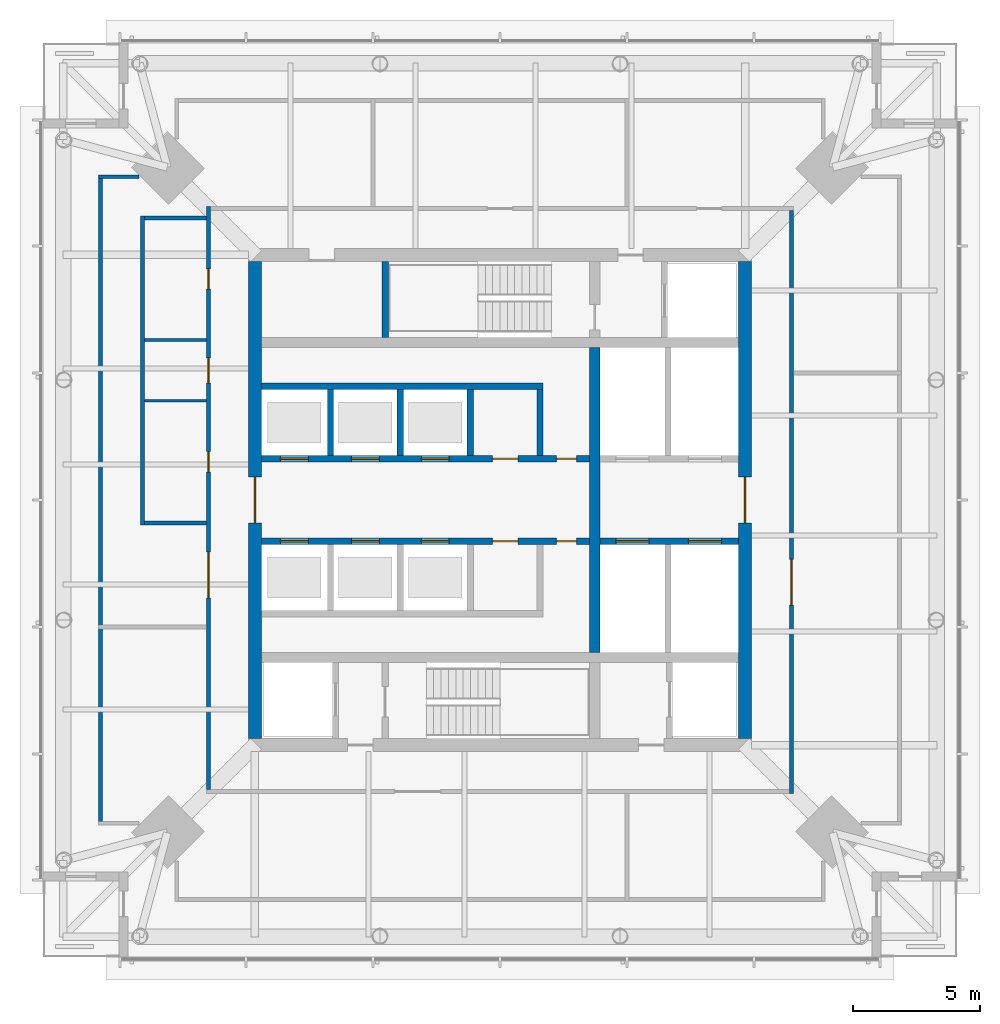
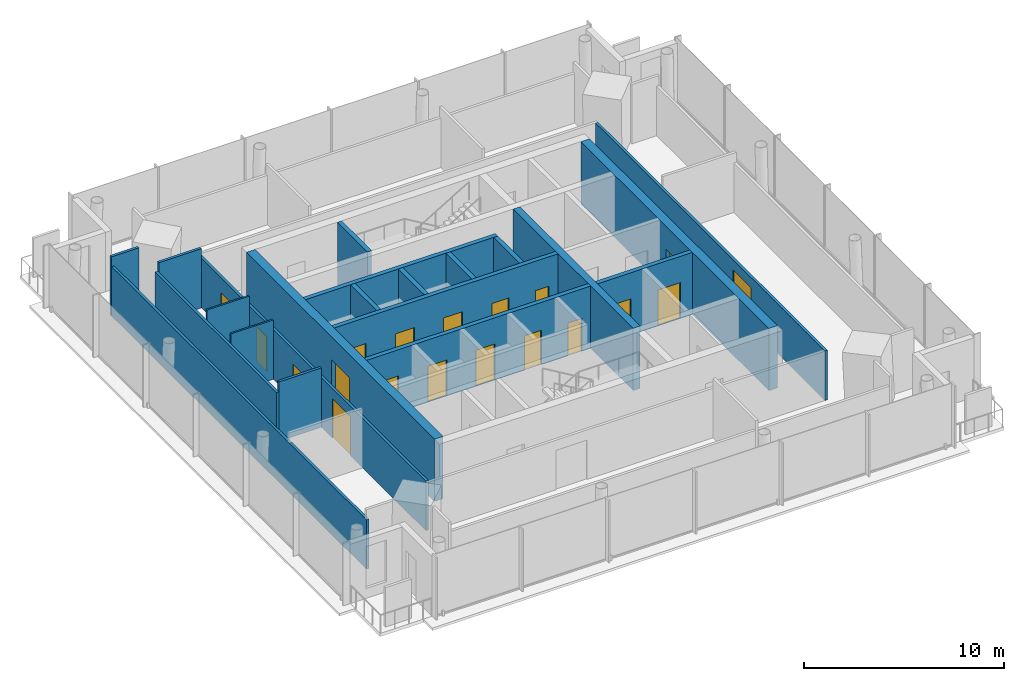
# One storey, part 4 of 10: 21 walls, 19 doors, 19 openings.
"""IFC4 building model written with IfcOpenShell, lengths in metres."""

from ifc_helpers import new_model, si_unit, direction, frame, frame_2d, origin, place, context, subcontext, project, spatial, rectangle, extrude, material, layer, layer_set, type_object, element, fill, save


model = new_model("IFC4")

# Units and contexts
model_context = context("Model", 3, precision=1e-05, world=origin(), true_north=direction((0.0, 1.0)))
body_context = subcontext(model_context, "Body", "Model", "MODEL_VIEW")
ifc_project = project(units=[si_unit("LENGTHUNIT", "METRE"), si_unit("AREAUNIT", "SQUARE_METRE"), si_unit("VOLUMEUNIT", "CUBIC_METRE"), si_unit("PLANEANGLEUNIT", "RADIAN"), si_unit("MASSUNIT", "GRAM", prefix="KILO")], contexts=[model_context])

# Site, building, storey
site_placement = place(None, origin())
site = spatial("IfcSite", under=ifc_project, at=site_placement, CompositionType="ELEMENT")
building_placement = place(site_placement, origin())
building = spatial("IfcBuilding", under=site, at=building_placement, Name="Ostroluk Exchange", CompositionType="ELEMENT")
storey_placement = place(building_placement, frame((0.0, 0.0, 233.800048828125)))
storey = spatial("IfcBuildingStorey", under=building, at=storey_placement, Name="L60", CompositionType="ELEMENT", Elevation=233.800048828125)

# Walls
ifc_material_1 = material(Name="Concrete blockwork", Category="masonry")
ifc_layer_1 = layer(ifc_material_1, 0.10009765625)
ifc_layer_set_1 = layer_set([ifc_layer_1], Name="Blockwork WC wall 100")
wall_type_1 = type_object("IfcWallType", Name="Blockwork WC wall 100", PredefinedType="SOLIDWALL", material=ifc_layer_set_1)
for number, where, z_axis, x_axis, name in (
    (1, (33.449951171875, 52.300048828125, 0.0), (0.0, 0.0, 1.0), (-1.0, 0.0, 0.0), "Blockwork WC wall"),
    (2, (33.449951171875, 49.89990234375, 0.0), (0.0, 0.0, 1.0), (-1.0, 0.0, 0.0), "Blockwork WC wall"),
):
    element("IfcWall", number, at=place(storey_placement, frame(where, z_axis=z_axis, x_axis=x_axis)), inside=storey, type_object=wall_type_1, Name=name, PredefinedType="SOLIDWALL", context=body_context, shape_type="SweptSolid", body=[
        extrude(rectangle(XDim=2.449951171875, YDim=0.10009765625, at=frame_2d((1.22509765625, 0.0))), origin(), (0.0, 0.0, 1.0), 3.619873046875),
    ])
ifc_material_2 = material(Name="Concrete C50/60", Category="concrete")
ifc_layer_2 = layer(ifc_material_2, 0.39990234375)
ifc_layer_set_2 = layer_set([ifc_layer_2], Name="Core cross wall 400 C50/60")
wall_type_2 = type_object("IfcWallType", Name="Core cross wall 400 C50/60", PredefinedType="SHEAR", material=ifc_layer_set_2)
wall_1_placement = place(storey_placement, frame((48.72998046875, 40.0, 0.0), z_axis=(0.0, 0.0, 1.0), x_axis=(0.0, 1.0, 0.0)))
element("IfcWall", 3, at=wall_1_placement, inside=storey, type_object=wall_type_2, Name="T1 core wall YE2", PredefinedType="SHEAR", context=body_context, shape_type="SweptSolid", body=[
    extrude(rectangle(XDim=12.0, YDim=0.39990234375, at=frame_2d((6.0, 0.0))), origin(), (0.0, 0.0, 1.0), 3.800048828125),
])
ifc_material_3 = material(Name="Concrete C40/50", Category="concrete")
ifc_layer_3 = layer(ifc_material_3, 0.25)
ifc_layer_set_3 = layer_set([ifc_layer_3], Name="Core shaft wall 250")
wall_type_3 = type_object("IfcWallType", Name="Core shaft wall 250", PredefinedType="SHEAR", material=ifc_layer_set_3)
wall_2_placement = place(storey_placement, frame((40.47509765625, 52.39990234375, 0.0), z_axis=(0.0, 0.0, 1.0), x_axis=(0.0, 1.0, 0.0)))
element("IfcWall", 4, at=wall_2_placement, inside=storey, type_object=wall_type_3, Name="Stair shaft wall", PredefinedType="SHEAR", context=body_context, shape_type="SweptSolid", body=[
    extrude(rectangle(XDim=3.0, YDim=0.25, at=frame_2d((1.5, 0.0))), origin(), (0.0, 0.0, 1.0), 3.800048828125),
])
for number, where, z_axis, x_axis, name in (
    (5, (38.324951171875, 47.75, 0.0), (0.0, 0.0, 1.0), (0.0, 1.0, 0.0), "Lift shaft wall"),
    (6, (41.074951171875, 47.75, 0.0), (0.0, 0.0, 1.0), (0.0, 1.0, 0.0), "Lift shaft wall"),
    (7, (43.824951171875, 47.75, 0.0), (0.0, 0.0, 1.0), (0.0, 1.0, 0.0), "Lift shaft wall"),
    (8, (46.574951171875, 47.75, 0.0), (0.0, 0.0, 1.0), (0.0, 1.0, 0.0), "Lift shaft wall"),
):
    element("IfcWall", number, at=place(storey_placement, frame(where, z_axis=z_axis, x_axis=x_axis)), inside=storey, type_object=wall_type_3, Name=name, PredefinedType="SHEAR", context=body_context, shape_type="SweptSolid", body=[
        extrude(rectangle(XDim=2.60009765625, YDim=0.25, at=frame_2d((1.300048828125, 0.0))), origin(), (0.0, 0.0, 1.0), 3.800048828125),
    ])
wall_3_placement = place(storey_placement, frame((35.60009765625, 50.47509765625, 0.0), z_axis=(0.0, 0.0, 1.0), x_axis=(1.0, 0.0, 0.0)))
element("IfcWall", 9, at=wall_3_placement, inside=storey, type_object=wall_type_3, Name="Lift shaft wall", PredefinedType="SHEAR", context=body_context, shape_type="SweptSolid", body=[
    extrude(rectangle(XDim=11.099853515625, YDim=0.25, at=frame_2d((5.5498046875, 0.0))), origin(), (0.0, 0.0, 1.0), 3.800048828125),
])

# Wall, openings, doors
wall_4_placement = place(storey_placement, frame((35.60009765625, 47.625, 0.0), z_axis=(0.0, 0.0, 1.0), x_axis=(1.0, 0.0, 0.0)))
wall_4 = element("IfcWall", 10, at=wall_4_placement, inside=storey, type_object=wall_type_3, Name="Lift shaft front wall", PredefinedType="SHEAR", context=body_context, shape_type="SweptSolid", body=[
    extrude(rectangle(XDim=12.929931640625, YDim=0.25, at=frame_2d((6.46484375, 0.0))), origin(), (0.0, 0.0, 1.0), 3.800048828125),
])
opening_1_placement = place(wall_4_placement, frame((0.75, 0.0, 0.0)))
opening_1 = element("IfcOpeningElement", 11, at=opening_1_placement, cuts=wall_4, Name="Opening LD", PredefinedType="OPENING", context=body_context, shape_type="SweptSolid", body=[
    extrude(rectangle(XDim=1.10009765625, YDim=2.199951171875, at=frame_2d((0.550048828125, 1.10009765625))), frame((0.0, 0.135009765625, 0.0), z_axis=(0.0, -1.0, 0.0), x_axis=(1.0, 0.0, 0.0)), (0.0, 0.0, 1.0), 0.27001953125),
])
opening_2_placement = place(wall_4_placement, frame((3.550048828125, 0.0, 0.0)))
opening_2 = element("IfcOpeningElement", 12, at=opening_2_placement, cuts=wall_4, Name="Opening LD", PredefinedType="OPENING", context=body_context, shape_type="SweptSolid", body=[
    extrude(rectangle(XDim=1.10009765625, YDim=2.199951171875, at=frame_2d((0.550048828125, 1.10009765625))), frame((0.0, 0.135009765625, 0.0), z_axis=(0.0, -1.0, 0.0), x_axis=(1.0, 0.0, 0.0)), (0.0, 0.0, 1.0), 0.27001953125),
])
opening_3_placement = place(wall_4_placement, frame((6.300048828125, 0.0, 0.0)))
opening_3 = element("IfcOpeningElement", 13, at=opening_3_placement, cuts=wall_4, Name="Opening LD", PredefinedType="OPENING", context=body_context, shape_type="SweptSolid", body=[
    extrude(rectangle(XDim=1.10009765625, YDim=2.199951171875, at=frame_2d((0.550048828125, 1.10009765625))), frame((0.0, 0.135009765625, 0.0), z_axis=(0.0, -1.0, 0.0), x_axis=(1.0, 0.0, 0.0)), (0.0, 0.0, 1.0), 0.27001953125),
])
opening_4_placement = place(wall_4_placement, frame((9.10009765625, 0.0, 0.0)))
opening_4 = element("IfcOpeningElement", 14, at=opening_4_placement, cuts=wall_4, Name="Opening FD60", PredefinedType="OPENING", context=body_context, shape_type="SweptSolid", body=[
    extrude(rectangle(XDim=1.0, YDim=2.10009765625, at=frame_2d((0.5, 1.050048828125))), frame((0.0, 0.135009765625, 0.0), z_axis=(0.0, -1.0, 0.0), x_axis=(1.0, 0.0, 0.0)), (0.0, 0.0, 1.0), 0.27001953125),
])
opening_5_placement = place(wall_4_placement, frame((11.614990234375, 0.0, 0.0)))
opening_5 = element("IfcOpeningElement", 15, at=opening_5_placement, cuts=wall_4, Name="Opening RD60", PredefinedType="OPENING", context=body_context, shape_type="SweptSolid", body=[
    extrude(rectangle(XDim=0.800048828125, YDim=2.0, at=frame_2d((0.39990234375, 1.0))), frame((0.0, 0.135009765625, 0.0), z_axis=(0.0, -1.0, 0.0), x_axis=(1.0, 0.0, 0.0)), (0.0, 0.0, 1.0), 0.27001953125),
])
ifc_material_4 = material(Name="Steel", Category="steel")
door_type_1 = type_object("IfcDoorType", Name="Fire door EI 60 1000 x 2100", OperationType="SINGLE_SWING_LEFT", PredefinedType="DOOR", material=ifc_material_4)
door_1_placement = place(opening_4_placement, origin())
door_1 = element("IfcDoor", 16, at=door_1_placement, inside=storey, type_object=door_type_1, Name="Core room door", OperationType="SINGLE_SWING_RIGHT", OverallHeight=2.10009765625, OverallWidth=1.0, PredefinedType="DOOR", context=body_context, shape_type="SweptSolid", body=[
    extrude(rectangle(XDim=1.0, YDim=2.10009765625, at=frame_2d((0.5, 1.050048828125))), frame((0.0, 0.02490234375, 0.0), z_axis=(0.0, -1.0, 0.0), x_axis=(1.0, 0.0, 0.0)), (0.0, 0.0, 1.0), 0.050048828125),
])
fill(opening_4, door_1)
ifc_material_5 = material(Name="Stainless steel", Category="steel")
door_type_2 = type_object("IfcDoorType", Name="Lift landing door E 60 1100 x 2200", OperationType="DOUBLE_DOOR_SLIDING", PredefinedType="DOOR", material=ifc_material_5)
door_2_placement = place(opening_1_placement, origin())
door_2 = element("IfcDoor", 17, at=door_2_placement, inside=storey, type_object=door_type_2, Name="Lift PL-T1 landing door", OperationType="DOUBLE_DOOR_SLIDING", OverallHeight=2.199951171875, OverallWidth=1.10009765625, PredefinedType="DOOR", context=body_context, shape_type="SweptSolid", body=[
    extrude(rectangle(XDim=1.10009765625, YDim=2.199951171875, at=frame_2d((0.550048828125, 1.10009765625))), frame((0.0, 0.02490234375, 0.0), z_axis=(0.0, -1.0, 0.0), x_axis=(1.0, 0.0, 0.0)), (0.0, 0.0, 1.0), 0.050048828125),
])
fill(opening_1, door_2)
door_3_placement = place(opening_2_placement, origin())
door_3 = element("IfcDoor", 18, at=door_3_placement, inside=storey, type_object=door_type_2, Name="Lift PL-T2 landing door", OperationType="DOUBLE_DOOR_SLIDING", OverallHeight=2.199951171875, OverallWidth=1.10009765625, PredefinedType="DOOR", context=body_context, shape_type="SweptSolid", body=[
    extrude(rectangle(XDim=1.10009765625, YDim=2.199951171875, at=frame_2d((0.550048828125, 1.10009765625))), frame((0.0, 0.02490234375, 0.0), z_axis=(0.0, -1.0, 0.0), x_axis=(1.0, 0.0, 0.0)), (0.0, 0.0, 1.0), 0.050048828125),
])
fill(opening_2, door_3)
door_4_placement = place(opening_3_placement, origin())
door_4 = element("IfcDoor", 19, at=door_4_placement, inside=storey, type_object=door_type_2, Name="Lift PL-T3 landing door", OperationType="DOUBLE_DOOR_SLIDING", OverallHeight=2.199951171875, OverallWidth=1.10009765625, PredefinedType="DOOR", context=body_context, shape_type="SweptSolid", body=[
    extrude(rectangle(XDim=1.10009765625, YDim=2.199951171875, at=frame_2d((0.550048828125, 1.10009765625))), frame((0.0, 0.02490234375, 0.0), z_axis=(0.0, -1.0, 0.0), x_axis=(1.0, 0.0, 0.0)), (0.0, 0.0, 1.0), 0.050048828125),
])
fill(opening_3, door_4)
ifc_material_6 = material(Name="Steel", Category="steel")
door_type_3 = type_object("IfcDoorType", Name="Riser access door EI 60 800 x 2000", OperationType="SINGLE_SWING_LEFT", PredefinedType="DOOR", material=ifc_material_6)
door_5_placement = place(opening_5_placement, origin())
door_5 = element("IfcDoor", 20, at=door_5_placement, inside=storey, type_object=door_type_3, Name="Riser access door", OperationType="SINGLE_SWING_RIGHT", OverallHeight=2.0, OverallWidth=0.800048828125, PredefinedType="DOOR", context=body_context, shape_type="SweptSolid", body=[
    extrude(rectangle(XDim=0.800048828125, YDim=2.0, at=frame_2d((0.39990234375, 1.0))), frame((0.0, 0.02490234375, 0.0), z_axis=(0.0, -1.0, 0.0), x_axis=(1.0, 0.0, 0.0)), (0.0, 0.0, 1.0), 0.050048828125),
])
fill(opening_5, door_5)

wall_5_placement = place(storey_placement, frame((35.60009765625, 44.375, 0.0), z_axis=(0.0, 0.0, 1.0), x_axis=(1.0, 0.0, 0.0)))
wall_5 = element("IfcWall", 21, at=wall_5_placement, inside=storey, type_object=wall_type_3, Name="Lift shaft front wall", PredefinedType="SHEAR", context=body_context, shape_type="SweptSolid", body=[
    extrude(rectangle(XDim=12.929931640625, YDim=0.25, at=frame_2d((6.46484375, 0.0))), origin(), (0.0, 0.0, 1.0), 3.800048828125),
])
opening_6_placement = place(wall_5_placement, frame((0.75, 0.0, 0.0)))
opening_6 = element("IfcOpeningElement", 22, at=opening_6_placement, cuts=wall_5, Name="Opening LD", PredefinedType="OPENING", context=body_context, shape_type="SweptSolid", body=[
    extrude(rectangle(XDim=1.10009765625, YDim=2.199951171875, at=frame_2d((0.550048828125, 1.10009765625))), frame((0.0, 0.135009765625, 0.0), z_axis=(0.0, -1.0, 0.0), x_axis=(1.0, 0.0, 0.0)), (0.0, 0.0, 1.0), 0.27001953125),
])
opening_7_placement = place(wall_5_placement, frame((3.550048828125, 0.0, 0.0)))
opening_7 = element("IfcOpeningElement", 23, at=opening_7_placement, cuts=wall_5, Name="Opening LD", PredefinedType="OPENING", context=body_context, shape_type="SweptSolid", body=[
    extrude(rectangle(XDim=1.10009765625, YDim=2.199951171875, at=frame_2d((0.550048828125, 1.10009765625))), frame((0.0, 0.135009765625, 0.0), z_axis=(0.0, -1.0, 0.0), x_axis=(1.0, 0.0, 0.0)), (0.0, 0.0, 1.0), 0.27001953125),
])
opening_8_placement = place(wall_5_placement, frame((6.300048828125, 0.0, 0.0)))
opening_8 = element("IfcOpeningElement", 24, at=opening_8_placement, cuts=wall_5, Name="Opening LD", PredefinedType="OPENING", context=body_context, shape_type="SweptSolid", body=[
    extrude(rectangle(XDim=1.10009765625, YDim=2.199951171875, at=frame_2d((0.550048828125, 1.10009765625))), frame((0.0, 0.135009765625, 0.0), z_axis=(0.0, -1.0, 0.0), x_axis=(1.0, 0.0, 0.0)), (0.0, 0.0, 1.0), 0.27001953125),
])
opening_9_placement = place(wall_5_placement, frame((9.10009765625, 0.0, 0.0)))
opening_9 = element("IfcOpeningElement", 25, at=opening_9_placement, cuts=wall_5, Name="Opening FD60", PredefinedType="OPENING", context=body_context, shape_type="SweptSolid", body=[
    extrude(rectangle(XDim=1.0, YDim=2.10009765625, at=frame_2d((0.5, 1.050048828125))), frame((0.0, 0.135009765625, 0.0), z_axis=(0.0, -1.0, 0.0), x_axis=(1.0, 0.0, 0.0)), (0.0, 0.0, 1.0), 0.27001953125),
])
opening_10_placement = place(wall_5_placement, frame((11.614990234375, 0.0, 0.0)))
opening_10 = element("IfcOpeningElement", 26, at=opening_10_placement, cuts=wall_5, Name="Opening RD60", PredefinedType="OPENING", context=body_context, shape_type="SweptSolid", body=[
    extrude(rectangle(XDim=0.800048828125, YDim=2.0, at=frame_2d((0.39990234375, 1.0))), frame((0.0, 0.135009765625, 0.0), z_axis=(0.0, -1.0, 0.0), x_axis=(1.0, 0.0, 0.0)), (0.0, 0.0, 1.0), 0.27001953125),
])
door_6_placement = place(opening_9_placement, origin())
door_6 = element("IfcDoor", 27, at=door_6_placement, inside=storey, type_object=door_type_1, Name="Core room door", OperationType="SINGLE_SWING_RIGHT", OverallHeight=2.10009765625, OverallWidth=1.0, PredefinedType="DOOR", context=body_context, shape_type="SweptSolid", body=[
    extrude(rectangle(XDim=1.0, YDim=2.10009765625, at=frame_2d((0.5, 1.050048828125))), frame((0.0, 0.02490234375, 0.0), z_axis=(0.0, -1.0, 0.0), x_axis=(1.0, 0.0, 0.0)), (0.0, 0.0, 1.0), 0.050048828125),
])
fill(opening_9, door_6)
door_7_placement = place(opening_6_placement, origin())
door_7 = element("IfcDoor", 28, at=door_7_placement, inside=storey, type_object=door_type_2, Name="Lift PL-T4 landing door", OperationType="DOUBLE_DOOR_SLIDING", OverallHeight=2.199951171875, OverallWidth=1.10009765625, PredefinedType="DOOR", context=body_context, shape_type="SweptSolid", body=[
    extrude(rectangle(XDim=1.10009765625, YDim=2.199951171875, at=frame_2d((0.550048828125, 1.10009765625))), frame((0.0, 0.02490234375, 0.0), z_axis=(0.0, -1.0, 0.0), x_axis=(1.0, 0.0, 0.0)), (0.0, 0.0, 1.0), 0.050048828125),
])
fill(opening_6, door_7)
door_8_placement = place(opening_7_placement, origin())
door_8 = element("IfcDoor", 29, at=door_8_placement, inside=storey, type_object=door_type_2, Name="Lift PL-T5 landing door", OperationType="DOUBLE_DOOR_SLIDING", OverallHeight=2.199951171875, OverallWidth=1.10009765625, PredefinedType="DOOR", context=body_context, shape_type="SweptSolid", body=[
    extrude(rectangle(XDim=1.10009765625, YDim=2.199951171875, at=frame_2d((0.550048828125, 1.10009765625))), frame((0.0, 0.02490234375, 0.0), z_axis=(0.0, -1.0, 0.0), x_axis=(1.0, 0.0, 0.0)), (0.0, 0.0, 1.0), 0.050048828125),
])
fill(opening_7, door_8)
door_9_placement = place(opening_8_placement, origin())
door_9 = element("IfcDoor", 30, at=door_9_placement, inside=storey, type_object=door_type_2, Name="Lift PL-T6 landing door", OperationType="DOUBLE_DOOR_SLIDING", OverallHeight=2.199951171875, OverallWidth=1.10009765625, PredefinedType="DOOR", context=body_context, shape_type="SweptSolid", body=[
    extrude(rectangle(XDim=1.10009765625, YDim=2.199951171875, at=frame_2d((0.550048828125, 1.10009765625))), frame((0.0, 0.02490234375, 0.0), z_axis=(0.0, -1.0, 0.0), x_axis=(1.0, 0.0, 0.0)), (0.0, 0.0, 1.0), 0.050048828125),
])
fill(opening_8, door_9)
door_10_placement = place(opening_10_placement, origin())
door_10 = element("IfcDoor", 31, at=door_10_placement, inside=storey, type_object=door_type_3, Name="Riser access door", OperationType="SINGLE_SWING_RIGHT", OverallHeight=2.0, OverallWidth=0.800048828125, PredefinedType="DOOR", context=body_context, shape_type="SweptSolid", body=[
    extrude(rectangle(XDim=0.800048828125, YDim=2.0, at=frame_2d((0.39990234375, 1.0))), frame((0.0, 0.02490234375, 0.0), z_axis=(0.0, -1.0, 0.0), x_axis=(1.0, 0.0, 0.0)), (0.0, 0.0, 1.0), 0.050048828125),
])
fill(opening_10, door_10)

wall_6_placement = place(storey_placement, frame((48.929931640625, 44.375, 0.0), z_axis=(0.0, 0.0, 1.0), x_axis=(1.0, 0.0, 0.0)))
wall_6 = element("IfcWall", 32, at=wall_6_placement, inside=storey, type_object=wall_type_3, Name="Lift shaft front wall", PredefinedType="SHEAR", context=body_context, shape_type="SweptSolid", body=[
    extrude(rectangle(XDim=5.469970703125, YDim=0.25, at=frame_2d((2.73486328125, 0.0))), origin(), (0.0, 0.0, 1.0), 3.800048828125),
])
opening_11_placement = place(wall_6_placement, frame((0.6298828125, 0.0, 0.0)))
opening_11 = element("IfcOpeningElement", 33, at=opening_11_placement, cuts=wall_6, Name="Opening LD2", PredefinedType="OPENING", context=body_context, shape_type="SweptSolid", body=[
    extrude(rectangle(XDim=1.300048828125, YDim=2.199951171875, at=frame_2d((0.64990234375, 1.10009765625))), frame((0.0, 0.135009765625, 0.0), z_axis=(0.0, -1.0, 0.0), x_axis=(1.0, 0.0, 0.0)), (0.0, 0.0, 1.0), 0.27001953125),
])
opening_12_placement = place(wall_6_placement, frame((3.489990234375, 0.0, 0.0)))
opening_12 = element("IfcOpeningElement", 34, at=opening_12_placement, cuts=wall_6, Name="Opening LD2", PredefinedType="OPENING", context=body_context, shape_type="SweptSolid", body=[
    extrude(rectangle(XDim=1.300048828125, YDim=2.199951171875, at=frame_2d((0.64990234375, 1.10009765625))), frame((0.0, 0.135009765625, 0.0), z_axis=(0.0, -1.0, 0.0), x_axis=(1.0, 0.0, 0.0)), (0.0, 0.0, 1.0), 0.27001953125),
])
ifc_material_7 = material(Name="Stainless steel", Category="steel")
door_type_4 = type_object("IfcDoorType", Name="Lift landing door E 60 1300 x 2200", OperationType="DOUBLE_DOOR_SLIDING", PredefinedType="DOOR", material=ifc_material_7)
door_11_placement = place(opening_11_placement, origin())
door_11 = element("IfcDoor", 35, at=door_11_placement, inside=storey, type_object=door_type_4, Name="Lift SX3 landing door", OperationType="DOUBLE_DOOR_SLIDING", OverallHeight=2.199951171875, OverallWidth=1.300048828125, PredefinedType="DOOR", context=body_context, shape_type="SweptSolid", body=[
    extrude(rectangle(XDim=1.300048828125, YDim=2.199951171875, at=frame_2d((0.64990234375, 1.10009765625))), frame((0.0, 0.02490234375, 0.0), z_axis=(0.0, -1.0, 0.0), x_axis=(1.0, 0.0, 0.0)), (0.0, 0.0, 1.0), 0.050048828125),
])
fill(opening_11, door_11)
door_12_placement = place(opening_12_placement, origin())
door_12 = element("IfcDoor", 36, at=door_12_placement, inside=storey, type_object=door_type_4, Name="Lift SX4 landing door", OperationType="DOUBLE_DOOR_SLIDING", OverallHeight=2.199951171875, OverallWidth=1.300048828125, PredefinedType="DOOR", context=body_context, shape_type="SweptSolid", body=[
    extrude(rectangle(XDim=1.300048828125, YDim=2.199951171875, at=frame_2d((0.64990234375, 1.10009765625))), frame((0.0, 0.02490234375, 0.0), z_axis=(0.0, -1.0, 0.0), x_axis=(1.0, 0.0, 0.0)), (0.0, 0.0, 1.0), 0.050048828125),
])
fill(opening_12, door_12)

# Wall, opening, door
ifc_material_8 = material(Name="Concrete C50/60", Category="concrete")
ifc_layer_4 = layer(ifc_material_8, 0.5)
ifc_layer_set_4 = layer_set([ifc_layer_4], Name="Core wall 500 C50/60")
wall_type_4 = type_object("IfcWallType", Name="Core wall 500 C50/60", PredefinedType="SHEAR", material=ifc_layer_set_4)
wall_7_placement = place(storey_placement, frame((35.35009765625, 36.60009765625, 0.0), z_axis=(0.0, 0.0, 1.0), x_axis=(0.0, 1.0, 0.0)))
wall_7 = element("IfcWall", 37, at=wall_7_placement, inside=storey, type_object=wall_type_4, Name="T1 core wall W", PredefinedType="SHEAR", context=body_context, shape_type="SweptSolid", body=[
    extrude(rectangle(XDim=18.7998046875, YDim=0.5, at=frame_2d((9.39990234375, 0.0))), origin(), (0.0, 0.0, 1.0), 3.800048828125),
])
opening_13_placement = place(wall_7_placement, frame((8.5, 0.0, 0.0)))
opening_13 = element("IfcOpeningElement", 38, at=opening_13_placement, cuts=wall_7, Name="Opening FD30D", PredefinedType="OPENING", context=body_context, shape_type="SweptSolid", body=[
    extrude(rectangle(XDim=1.800048828125, YDim=2.39990234375, at=frame_2d((0.89990234375, 1.199951171875))), frame((0.0, 0.260009765625, 0.0), z_axis=(0.0, -1.0, 0.0), x_axis=(1.0, 0.0, 0.0)), (0.0, 0.0, 1.0), 0.52001953125),
])
ifc_material_9 = material(Name="Timber", Category="wood")
door_type_5 = type_object("IfcDoorType", Name="Lobby double door EI 30 1800 x 2400", OperationType="DOUBLE_DOOR_SINGLE_SWING", PredefinedType="DOOR", material=ifc_material_9)
door_13_placement = place(opening_13_placement, origin())
door_13 = element("IfcDoor", 39, at=door_13_placement, inside=storey, type_object=door_type_5, Name="Lift lobby doors", OperationType="DOUBLE_DOOR_SINGLE_SWING", OverallHeight=2.39990234375, OverallWidth=1.800048828125, PredefinedType="DOOR", context=body_context, shape_type="SweptSolid", body=[
    extrude(rectangle(XDim=1.800048828125, YDim=2.39990234375, at=frame_2d((0.89990234375, 1.199951171875))), frame((0.0, 0.02490234375, 0.0), z_axis=(0.0, -1.0, 0.0), x_axis=(1.0, 0.0, 0.0)), (0.0, 0.0, 1.0), 0.050048828125),
])
fill(opening_13, door_13)

wall_8_placement = place(storey_placement, frame((54.64990234375, 36.60009765625, 0.0), z_axis=(0.0, 0.0, 1.0), x_axis=(0.0, 1.0, 0.0)))
wall_8 = element("IfcWall", 40, at=wall_8_placement, inside=storey, type_object=wall_type_4, Name="T1 core wall E", PredefinedType="SHEAR", context=body_context, shape_type="SweptSolid", body=[
    extrude(rectangle(XDim=18.7998046875, YDim=0.5, at=frame_2d((9.39990234375, 0.0))), origin(), (0.0, 0.0, 1.0), 3.800048828125),
])
opening_14_placement = place(wall_8_placement, frame((8.5, 0.0, 0.0)))
opening_14 = element("IfcOpeningElement", 41, at=opening_14_placement, cuts=wall_8, Name="Opening FD30D", PredefinedType="OPENING", context=body_context, shape_type="SweptSolid", body=[
    extrude(rectangle(XDim=1.800048828125, YDim=2.39990234375, at=frame_2d((0.89990234375, 1.199951171875))), frame((0.0, 0.260009765625, 0.0), z_axis=(0.0, -1.0, 0.0), x_axis=(1.0, 0.0, 0.0)), (0.0, 0.0, 1.0), 0.52001953125),
])
door_14_placement = place(opening_14_placement, origin())
door_14 = element("IfcDoor", 42, at=door_14_placement, inside=storey, type_object=door_type_5, Name="Lift lobby doors", OperationType="DOUBLE_DOOR_SINGLE_SWING", OverallHeight=2.39990234375, OverallWidth=1.800048828125, PredefinedType="DOOR", context=body_context, shape_type="SweptSolid", body=[
    extrude(rectangle(XDim=1.800048828125, YDim=2.39990234375, at=frame_2d((0.89990234375, 1.199951171875))), frame((0.0, 0.02490234375, 0.0), z_axis=(0.0, -1.0, 0.0), x_axis=(1.0, 0.0, 0.0)), (0.0, 0.0, 1.0), 0.050048828125),
])
fill(opening_14, door_14)

ifc_material_10 = material(Name="Gypsum plasterboard partition", Category="gypsum")
ifc_layer_5 = layer(ifc_material_10, 0.14990234375)
ifc_layer_set_5 = layer_set([ifc_layer_5], Name="Plasterboard partition 150")
wall_type_5 = type_object("IfcWallType", Name="Plasterboard partition 150", PredefinedType="PARTITIONING", material=ifc_layer_set_5)
wall_9_placement = place(storey_placement, frame((56.47509765625, 34.449951171875, 0.0), z_axis=(0.0, 0.0, 1.0), x_axis=(0.0, 1.0, 0.0)))
wall_9 = element("IfcWall", 43, at=wall_9_placement, inside=storey, type_object=wall_type_5, Name="Corridor wall", PredefinedType="PARTITIONING", context=body_context, shape_type="SweptSolid", body=[
    extrude(rectangle(XDim=22.949951171875, YDim=0.14990234375, at=frame_2d((11.47509765625, 0.0))), origin(), (0.0, 0.0, 1.0), 3.02001953125),
])
opening_15_placement = place(wall_9_placement, frame((7.41259765625, 0.0, 0.0)))
opening_15 = element("IfcOpeningElement", 44, at=opening_15_placement, cuts=wall_9, Name="Opening D-04", PredefinedType="OPENING", context=body_context, shape_type="SweptSolid", body=[
    extrude(rectangle(XDim=1.800048828125, YDim=2.39990234375, at=frame_2d((0.89990234375, 1.199951171875))), frame((0.0, 0.0849609375, 0.0), z_axis=(0.0, -1.0, 0.0), x_axis=(1.0, 0.0, 0.0)), (0.0, 0.0, 1.0), 0.169921875),
])
ifc_material_11 = material(Name="Timber", Category="wood")
door_type_6 = type_object("IfcDoorType", Name="Double door 1800 x 2400", OperationType="DOUBLE_DOOR_SINGLE_SWING", PredefinedType="DOOR", material=ifc_material_11)
door_15_placement = place(opening_15_placement, origin())
door_15 = element("IfcDoor", 45, at=door_15_placement, inside=storey, type_object=door_type_6, Name="Cafe door", OperationType="DOUBLE_DOOR_SINGLE_SWING", OverallHeight=2.39990234375, OverallWidth=1.800048828125, PredefinedType="DOOR", context=body_context, shape_type="SweptSolid", body=[
    extrude(rectangle(XDim=1.800048828125, YDim=2.39990234375, at=frame_2d((0.89990234375, 1.199951171875))), frame((0.0, 0.02490234375, 0.0), z_axis=(0.0, -1.0, 0.0), x_axis=(1.0, 0.0, 0.0)), (0.0, 0.0, 1.0), 0.050048828125),
])
fill(opening_15, door_15)

# Wall, openings, doors
wall_10_placement = place(storey_placement, frame((33.52490234375, 57.550048828125, 0.0), z_axis=(0.0, 0.0, 1.0), x_axis=(0.0, -1.0, 0.0)))
wall_10 = element("IfcWall", 46, at=wall_10_placement, inside=storey, type_object=wall_type_5, Name="Corridor wall", PredefinedType="PARTITIONING", context=body_context, shape_type="SweptSolid", body=[
    extrude(rectangle(XDim=22.949951171875, YDim=0.14990234375, at=frame_2d((11.47509765625, 0.0))), origin(), (0.0, 0.0, 1.0), 3.02001953125),
])
opening_16_placement = place(wall_10_placement, frame((2.449951171875, 0.0, 0.0)))
opening_16 = element("IfcOpeningElement", 47, at=opening_16_placement, cuts=wall_10, Name="Opening D-06", PredefinedType="OPENING", context=body_context, shape_type="SweptSolid", body=[
    extrude(rectangle(XDim=0.800048828125, YDim=2.10009765625, at=frame_2d((0.39990234375, 1.050048828125))), frame((0.0, 0.0849609375, 0.0), z_axis=(0.0, -1.0, 0.0), x_axis=(1.0, 0.0, 0.0)), (0.0, 0.0, 1.0), 0.169921875),
])
opening_17_placement = place(wall_10_placement, frame((5.949951171875, 0.0, 0.0)))
opening_17 = element("IfcOpeningElement", 48, at=opening_17_placement, cuts=wall_10, Name="Opening D-03", PredefinedType="OPENING", context=body_context, shape_type="SweptSolid", body=[
    extrude(rectangle(XDim=1.0, YDim=2.10009765625, at=frame_2d((0.5, 1.050048828125))), frame((0.0, 0.0849609375, 0.0), z_axis=(0.0, -1.0, 0.0), x_axis=(1.0, 0.0, 0.0)), (0.0, 0.0, 1.0), 0.169921875),
])
opening_18_placement = place(wall_10_placement, frame((9.64990234375, 0.0, 0.0)))
opening_18 = element("IfcOpeningElement", 49, at=opening_18_placement, cuts=wall_10, Name="Opening D-06", PredefinedType="OPENING", context=body_context, shape_type="SweptSolid", body=[
    extrude(rectangle(XDim=0.800048828125, YDim=2.10009765625, at=frame_2d((0.39990234375, 1.050048828125))), frame((0.0, 0.0849609375, 0.0), z_axis=(0.0, -1.0, 0.0), x_axis=(1.0, 0.0, 0.0)), (0.0, 0.0, 1.0), 0.169921875),
])
opening_19_placement = place(wall_10_placement, frame((13.60009765625, 0.0, 0.0)))
opening_19 = element("IfcOpeningElement", 50, at=opening_19_placement, cuts=wall_10, Name="Opening D-04", PredefinedType="OPENING", context=body_context, shape_type="SweptSolid", body=[
    extrude(rectangle(XDim=1.800048828125, YDim=2.39990234375, at=frame_2d((0.89990234375, 1.199951171875))), frame((0.0, 0.0849609375, 0.0), z_axis=(0.0, -1.0, 0.0), x_axis=(1.0, 0.0, 0.0)), (0.0, 0.0, 1.0), 0.169921875),
])
door_16_placement = place(opening_19_placement, origin())
door_16 = element("IfcDoor", 51, at=door_16_placement, inside=storey, type_object=door_type_6, Name="Meeting room door", OperationType="DOUBLE_DOOR_SINGLE_SWING", OverallHeight=2.39990234375, OverallWidth=1.800048828125, PredefinedType="DOOR", context=body_context, shape_type="SweptSolid", body=[
    extrude(rectangle(XDim=1.800048828125, YDim=2.39990234375, at=frame_2d((0.89990234375, 1.199951171875))), frame((0.0, 0.02490234375, 0.0), z_axis=(0.0, -1.0, 0.0), x_axis=(1.0, 0.0, 0.0)), (0.0, 0.0, 1.0), 0.050048828125),
])
fill(opening_19, door_16)
ifc_material_12 = material(Name="Timber", Category="wood")
door_type_7 = type_object("IfcDoorType", Name="Internal door 1000 x 2100", OperationType="SINGLE_SWING_LEFT", PredefinedType="DOOR", material=ifc_material_12)
door_17_placement = place(opening_17_placement, origin())
door_17 = element("IfcDoor", 52, at=door_17_placement, inside=storey, type_object=door_type_7, Name="Accessible WC door", OperationType="SINGLE_SWING_LEFT", OverallHeight=2.10009765625, OverallWidth=1.0, PredefinedType="DOOR", context=body_context, shape_type="SweptSolid", body=[
    extrude(rectangle(XDim=1.0, YDim=2.10009765625, at=frame_2d((0.5, 1.050048828125))), frame((0.0, 0.02490234375, 0.0), z_axis=(0.0, -1.0, 0.0), x_axis=(1.0, 0.0, 0.0)), (0.0, 0.0, 1.0), 0.050048828125),
])
fill(opening_17, door_17)
ifc_material_13 = material(Name="Timber", Category="wood")
door_type_8 = type_object("IfcDoorType", Name="Toilet door 800 x 2100", OperationType="SINGLE_SWING_LEFT", PredefinedType="DOOR", material=ifc_material_13)
door_18_placement = place(opening_16_placement, origin())
door_18 = element("IfcDoor", 53, at=door_18_placement, inside=storey, type_object=door_type_8, Name="WC female door", OperationType="SINGLE_SWING_LEFT", OverallHeight=2.10009765625, OverallWidth=0.800048828125, PredefinedType="DOOR", context=body_context, shape_type="SweptSolid", body=[
    extrude(rectangle(XDim=0.800048828125, YDim=2.10009765625, at=frame_2d((0.39990234375, 1.050048828125))), frame((0.0, 0.02490234375, 0.0), z_axis=(0.0, -1.0, 0.0), x_axis=(1.0, 0.0, 0.0)), (0.0, 0.0, 1.0), 0.050048828125),
])
fill(opening_16, door_18)
door_19_placement = place(opening_18_placement, origin())
door_19 = element("IfcDoor", 54, at=door_19_placement, inside=storey, type_object=door_type_8, Name="WC male door", OperationType="SINGLE_SWING_LEFT", OverallHeight=2.10009765625, OverallWidth=0.800048828125, PredefinedType="DOOR", context=body_context, shape_type="SweptSolid", body=[
    extrude(rectangle(XDim=0.800048828125, YDim=2.10009765625, at=frame_2d((0.39990234375, 1.050048828125))), frame((0.0, 0.02490234375, 0.0), z_axis=(0.0, -1.0, 0.0), x_axis=(1.0, 0.0, 0.0)), (0.0, 0.0, 1.0), 0.050048828125),
])
fill(opening_18, door_19)

# Walls
wall_11_placement = place(storey_placement, frame((29.27490234375, 33.199951171875, 0.0), z_axis=(0.0, 0.0, 1.0), x_axis=(0.0, 1.0, 0.0)))
element("IfcWall", 55, at=wall_11_placement, inside=storey, type_object=wall_type_5, Name="Truss zone partition", PredefinedType="PARTITIONING", context=body_context, shape_type="SweptSolid", body=[
    extrude(rectangle(XDim=25.60009765625, YDim=0.14990234375, at=frame_2d((12.800048828125, 0.0))), origin(), (0.0, 0.0, 1.0), 3.02001953125),
])
wall_12_placement = place(storey_placement, frame((29.199951171875, 58.72509765625, 0.0), z_axis=(0.0, 0.0, 1.0), x_axis=(1.0, 0.0, 0.0)))
element("IfcWall", 56, at=wall_12_placement, inside=storey, type_object=wall_type_5, Name="Truss zone partition", PredefinedType="PARTITIONING", context=body_context, shape_type="SweptSolid", body=[
    extrude(rectangle(XDim=1.5859375, YDim=0.14990234375, at=frame_2d((0.79296875, 0.0))), origin(), (0.0, 0.0, 1.0), 3.619873046875),
])
ifc_material_14 = material(Name="Gypsum plasterboard partition, moisture resistant", Category="gypsum")
ifc_layer_6 = layer(ifc_material_14, 0.14990234375)
ifc_layer_set_6 = layer_set([ifc_layer_6], Name="Plasterboard toilet partition 150")
wall_type_6 = type_object("IfcWallType", Name="Plasterboard toilet partition 150", PredefinedType="PARTITIONING", material=ifc_layer_set_6)
wall_13_placement = place(storey_placement, frame((30.925048828125, 57.175048828125, 0.0), z_axis=(0.0, 0.0, 1.0), x_axis=(0.0, -1.0, 0.0)))
element("IfcWall", 57, at=wall_13_placement, inside=storey, type_object=wall_type_6, Name="Toilet partition", PredefinedType="PARTITIONING", context=body_context, shape_type="SweptSolid", body=[
    extrude(rectangle(XDim=12.150146484375, YDim=0.14990234375, at=frame_2d((6.0751953125, 0.0))), origin(), (0.0, 0.0, 1.0), 3.02001953125),
])
for number, where, z_axis, x_axis, name in (
    (58, (33.449951171875, 57.10009765625, 0.0), (0.0, 0.0, 1.0), (-1.0, 0.0, 0.0), "Toilet partition"),
    (59, (33.449951171875, 45.10009765625, 0.0), (0.0, 0.0, 1.0), (-1.0, 0.0, 0.0), "Toilet partition"),
):
    element("IfcWall", number, at=place(storey_placement, frame(where, z_axis=z_axis, x_axis=x_axis)), inside=storey, type_object=wall_type_6, Name=name, PredefinedType="PARTITIONING", context=body_context, shape_type="SweptSolid", body=[
        extrude(rectangle(XDim=2.449951171875, YDim=0.14990234375, at=frame_2d((1.22509765625, 0.0))), origin(), (0.0, 0.0, 1.0), 3.619873046875),
    ])

save(model, "model.ifc")
